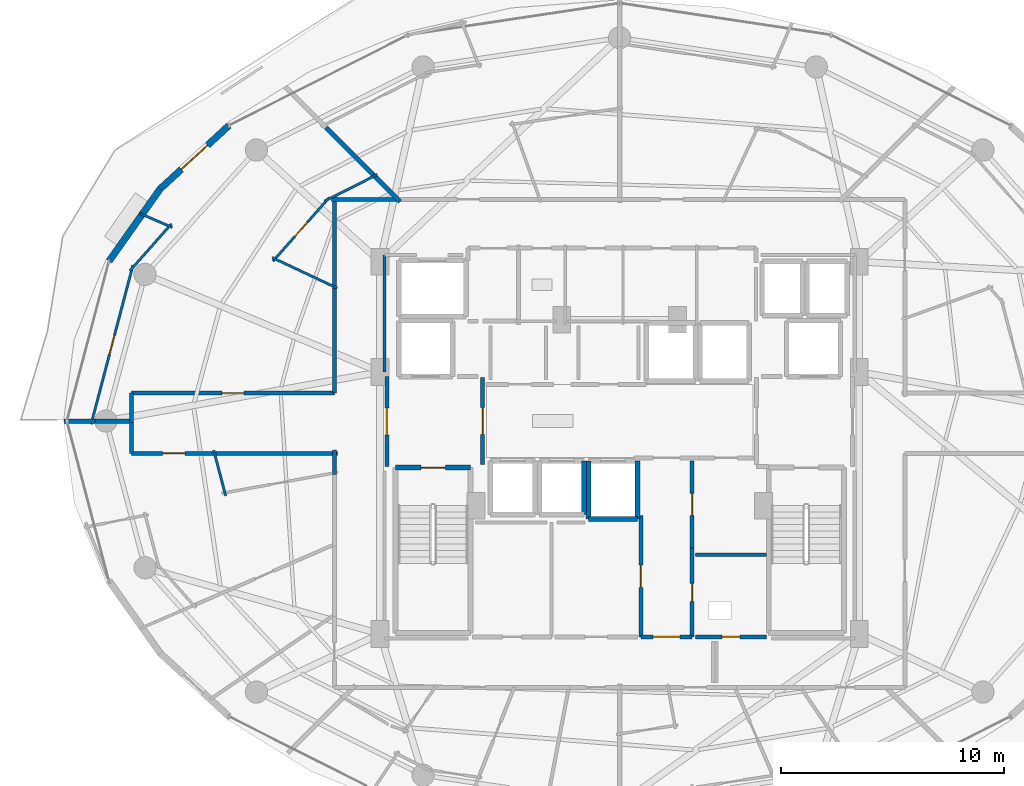
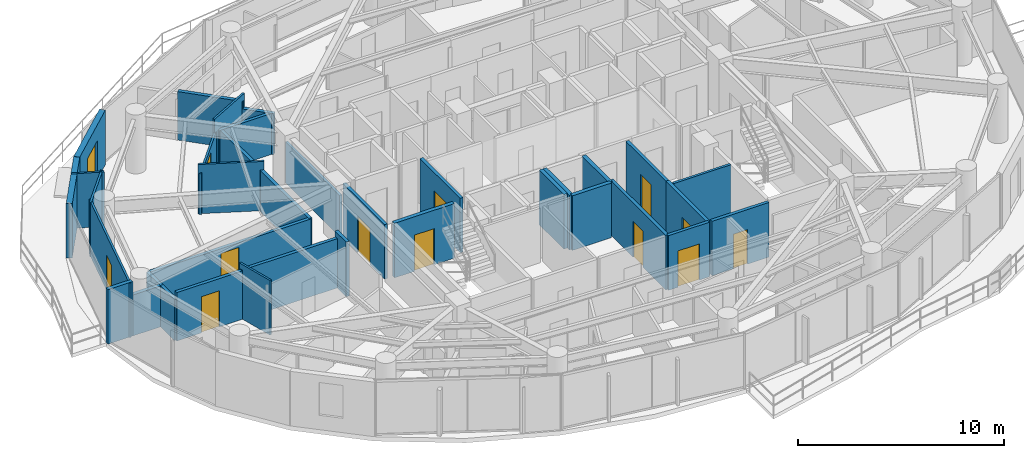
# One storey, part 23 of 31: 36 walls, 13 doors, 13 openings.
"""IFC4 building model written with IfcOpenShell, lengths in metres."""

from ifc_helpers import new_model, si_unit, direction, frame, frame_2d, origin, place, context, subcontext, project, spatial, rectangle, extrude, material, layer, layer_set, type_object, element, fill, save


model = new_model("IFC4")

# Units and contexts
model_context = context("Model", 3, precision=1e-05, world=origin(), true_north=direction((0.0, 1.0)))
body_context = subcontext(model_context, "Body", "Model", "MODEL_VIEW")
ifc_project = project(units=[si_unit("LENGTHUNIT", "METRE"), si_unit("AREAUNIT", "SQUARE_METRE"), si_unit("VOLUMEUNIT", "CUBIC_METRE"), si_unit("PLANEANGLEUNIT", "RADIAN"), si_unit("MASSUNIT", "GRAM", prefix="KILO")], contexts=[model_context])

# Site, building, storey
site_placement = place(None, origin())
site = spatial("IfcSite", under=ifc_project, at=site_placement, CompositionType="ELEMENT")
building_placement = place(site_placement, origin())
building = spatial("IfcBuilding", under=site, at=building_placement, Name="Vorneva Point Tower", CompositionType="ELEMENT")
storey_placement = place(building_placement, frame((0.0, 0.0, 129.10009765625)))
storey = spatial("IfcBuildingStorey", under=building, at=storey_placement, Name="L34", CompositionType="ELEMENT", Elevation=129.10009765625)

# Wall, opening, door
ifc_material_1 = material(Name="Precast concrete B50 (C40/50)", Category="concrete")
ifc_layer_1 = layer(ifc_material_1, 0.300048828125)
ifc_layer_set_1 = layer_set([ifc_layer_1], Name="Precast concrete B50 (C40/50)")
wall_type_1 = type_object("IfcWallType", Name="WL-EXT-300", PredefinedType="STANDARD", material=ifc_layer_set_1)
wall_1_placement = place(storey_placement, frame((20.4638671875, 39.25830078125, 0.0), z_axis=(0.0, 0.0, 1.0), x_axis=(-0.735477154165, -0.677549522693, 0.0)))
wall_1 = element("IfcWall", 1, at=wall_1_placement, inside=storey, type_object=wall_type_1, Name="L34 Pale-Metal Facade Spandrel Wall 07.1", PredefinedType="STANDARD", context=body_context, shape_type="SweptSolid", body=[
    extrude(rectangle(XDim=4.193603515625, YDim=0.300048828125, at=frame_2d((2.0966796875, 0.0))), origin(), (0.0, 0.0, 1.0), 3.239990234375),
])
opening_1_placement = place(wall_1_placement, frame((1.296875, 0.0, 0.0)))
opening_1 = element("IfcOpeningElement", 2, at=opening_1_placement, cuts=wall_1, Name="Opening BD-01", PredefinedType="OPENING", context=body_context, shape_type="SweptSolid", body=[
    extrude(rectangle(XDim=1.60009765625, YDim=2.300048828125, at=frame_2d((0.800048828125, 1.14990234375))), frame((0.0, 0.1650390625, 0.0), z_axis=(0.0, -1.0, 0.0), x_axis=(1.0, 0.0, 0.0)), (0.0, 0.0, 1.0), 0.329833984375),
])
ifc_material_2 = material(Name="Pale anodised aluminium", Category="aluminium")
door_type_1 = type_object("IfcDoorType", Name="DR-BAL-1600", OperationType="SLIDING_TO_LEFT", PredefinedType="DOOR", material=ifc_material_2)
door_1_placement = place(opening_1_placement, origin())
door_1 = element("IfcDoor", 3, at=door_1_placement, inside=storey, type_object=door_type_1, Name="L34 Balcony Terrace Access Door 07", OperationType="SLIDING_TO_LEFT", OverallHeight=2.300048828125, OverallWidth=1.60009765625, PredefinedType="DOOR", context=body_context, shape_type="SweptSolid", body=[
    extrude(rectangle(XDim=1.60009765625, YDim=2.300048828125, at=frame_2d((0.800048828125, 1.14990234375))), frame((0.0, 0.02490234375, 0.0), z_axis=(0.0, -1.0, 0.0), x_axis=(1.0, 0.0, 0.0)), (0.0, 0.0, 1.0), 0.050048828125),
])
fill(opening_1, door_1)

# Walls
wall_2_placement = place(storey_placement, frame((17.379638671875, 36.4169921875, 0.0), z_axis=(0.0, 0.0, 1.0), x_axis=(-0.577269753207, -0.816553508371, 0.0)))
element("IfcWall", 4, at=wall_2_placement, inside=storey, type_object=wall_type_1, Name="L34 Pale-Metal Facade Spandrel Wall 07.2", PredefinedType="STANDARD", context=body_context, shape_type="SweptSolid", body=[
    extrude(rectangle(XDim=3.969970703125, YDim=0.300048828125, at=frame_2d((1.98486328125, 0.0))), origin(), (0.0, 0.0, 1.0), 3.239990234375),
])
ifc_material_3 = material(Name="Fire-rated acoustic gypsum stud partition", Category="gypsum")
ifc_layer_2 = layer(ifc_material_3, 0.110107421875)
ifc_layer_set_2 = layer_set([ifc_layer_2], Name="Fire-rated acoustic gypsum stud partition")
wall_type_2 = type_object("IfcWallType", Name="WL-PART-110", PredefinedType="PARTITIONING", material=ifc_layer_set_2)
wall_3_placement = place(storey_placement, frame((25.32666015625, 31.96337890625, 0.0), z_axis=(0.0, 0.0, 1.0), x_axis=(-0.904775800467, 0.425888190596, 0.0)))
element("IfcWall", 5, at=wall_3_placement, inside=storey, type_object=wall_type_2, Name="L34 Interior Partition 096", PredefinedType="PARTITIONING", context=body_context, shape_type="SweptSolid", body=[
    extrude(rectangle(XDim=3.224609375, YDim=0.110107421875, at=frame_2d((1.6123046875, 0.0))), origin(), (0.0, 0.0, 1.0), 2.921875),
])

# Wall, opening, door
wall_4_placement = place(storey_placement, frame((22.443359375, 33.172119140625, 0.0), z_axis=(0.0, 0.0, 1.0), x_axis=(0.662199468358, 0.749327607997, 0.0)))
wall_4 = element("IfcWall", 6, at=wall_4_placement, inside=storey, type_object=wall_type_2, Name="L34 Interior Partition 097", PredefinedType="PARTITIONING", context=body_context, shape_type="SweptSolid", body=[
    extrude(rectangle(XDim=3.813720703125, YDim=0.110107421875, at=frame_2d((1.90673828125, 0.0))), origin(), (0.0, 0.0, 1.0), 2.431884765625),
])
opening_2_placement = place(wall_4_placement, frame((1.48193359375, 0.0, 0.0)))
opening_2 = element("IfcOpeningElement", 7, at=opening_2_placement, cuts=wall_4, Name="Opening ID-02", PredefinedType="OPENING", context=body_context, shape_type="SweptSolid", body=[
    extrude(rectangle(XDim=0.85009765625, YDim=2.10009765625, at=frame_2d((0.425048828125, 1.050048828125))), frame((0.0, 0.06982421875, 0.0), z_axis=(0.0, -1.0, 0.0), x_axis=(1.0, 0.0, 0.0)), (0.0, 0.0, 1.0), 0.139892578125),
])
ifc_material_4 = material(Name="Engineered oak fire-rated door leaf", Category="wood")
door_type_2 = type_object("IfcDoorType", Name="DR-BATH-850", OperationType="NOTDEFINED", PredefinedType="DOOR", material=ifc_material_4)
door_2_placement = place(opening_2_placement, origin())
door_2 = element("IfcDoor", 8, at=door_2_placement, inside=storey, type_object=door_type_2, Name="L34 Door Studio Apartment L34-04 / Bathroom L34-04", OperationType="SINGLE_SWING_RIGHT", OverallHeight=2.10009765625, OverallWidth=0.85009765625, PredefinedType="DOOR", context=body_context, shape_type="SweptSolid", body=[
    extrude(rectangle(XDim=0.85009765625, YDim=2.10009765625, at=frame_2d((0.425048828125, 1.050048828125))), frame((0.0, 0.02490234375, 0.0), z_axis=(0.0, -1.0, 0.0), x_axis=(1.0, 0.0, 0.0)), (0.0, 0.0, 1.0), 0.050048828125),
])
fill(opening_2, door_2)

# Walls
wall_5_placement = place(storey_placement, frame((24.751220703125, 35.86181640625, 0.0), z_axis=(0.0, 0.0, 1.0), x_axis=(0.892455114256, 0.451136197882, 0.0)))
element("IfcWall", 9, at=wall_5_placement, inside=storey, type_object=wall_type_2, Name="L34 Interior Partition 098", PredefinedType="PARTITIONING", context=body_context, shape_type="SweptSolid", body=[
    extrude(rectangle(XDim=2.660888671875, YDim=0.110107421875, at=frame_2d((1.33056640625, 0.0))), origin(), (0.0, 0.0, 1.0), 3.239990234375),
])
wall_6_placement = place(storey_placement, frame((17.8857421875, 34.848876953125, 0.0), z_axis=(0.0, 0.0, 1.0), x_axis=(-0.661981664989, -0.749520029898, 0.0)))
element("IfcWall", 10, at=wall_6_placement, inside=storey, type_object=wall_type_2, Name="L34 Interior Partition 099", PredefinedType="PARTITIONING", context=body_context, shape_type="SweptSolid", body=[
    extrude(rectangle(XDim=2.802978515625, YDim=0.110107421875, at=frame_2d((1.4013671875, 0.0))), origin(), (0.0, 0.0, 1.0), 3.239990234375),
])

# Wall, opening, door
wall_7_placement = place(storey_placement, frame((16.15869140625, 32.98828125, 0.0), z_axis=(0.0, 0.0, 1.0), x_axis=(-0.254441093922, -0.967088274008, 0.0)))
wall_7 = element("IfcWall", 11, at=wall_7_placement, inside=storey, type_object=wall_type_2, Name="L34 Interior Partition 100", PredefinedType="PARTITIONING", context=body_context, shape_type="SweptSolid", body=[
    extrude(rectangle(XDim=7.3662109375, YDim=0.110107421875, at=frame_2d((3.68310546875, 0.0))), origin(), (0.0, 0.0, 1.0), 3.239990234375),
])
opening_3_placement = place(wall_7_placement, frame((3.233154296875, 0.0, 0.0)))
opening_3 = element("IfcOpeningElement", 12, at=opening_3_placement, cuts=wall_7, Name="Opening ID-01", PredefinedType="OPENING", context=body_context, shape_type="SweptSolid", body=[
    extrude(rectangle(XDim=0.89990234375, YDim=2.10009765625, at=frame_2d((0.449951171875, 1.050048828125))), frame((0.0, 0.06982421875, 0.0), z_axis=(0.0, -1.0, 0.0), x_axis=(1.0, 0.0, 0.0)), (0.0, 0.0, 1.0), 0.139892578125),
])
door_type_3 = type_object("IfcDoorType", Name="DR-ROOM-900", OperationType="NOTDEFINED", PredefinedType="DOOR", material=ifc_material_4)
door_3_placement = place(opening_3_placement, origin())
door_3 = element("IfcDoor", 13, at=door_3_placement, inside=storey, type_object=door_type_3, Name="L34 Door Studio Apartment L34-04 / Kitchen L34-04", OperationType="SINGLE_SWING_LEFT", OverallHeight=2.10009765625, OverallWidth=0.89990234375, PredefinedType="DOOR", context=body_context, shape_type="SweptSolid", body=[
    extrude(rectangle(XDim=0.89990234375, YDim=2.10009765625, at=frame_2d((0.449951171875, 1.050048828125))), frame((0.0, 0.02490234375, 0.0), z_axis=(0.0, -1.0, 0.0), x_axis=(1.0, 0.0, 0.0)), (0.0, 0.0, 1.0), 0.050048828125),
])
fill(opening_3, door_3)

# Walls
wall_8_placement = place(storey_placement, frame((16.443603515625, 35.32861328125, 0.0), z_axis=(0.0, 0.0, 1.0), x_axis=(0.917553781871, -0.397611691698, 0.0)))
element("IfcWall", 14, at=wall_8_placement, inside=storey, type_object=wall_type_2, Name="L34 Interior Partition 101", PredefinedType="PARTITIONING", context=body_context, shape_type="SweptSolid", body=[
    extrude(rectangle(XDim=1.610595703125, YDim=0.110107421875, at=frame_2d((0.80517578125, 0.0))), origin(), (0.0, 0.0, 1.0), 3.239990234375),
])
wall_9_placement = place(storey_placement, frame((20.321533203125, 22.646484375, 0.0), z_axis=(0.0, 0.0, 1.0), x_axis=(-0.254316581286, 0.967121024734, 0.0)))
element("IfcWall", 15, at=wall_9_placement, inside=storey, type_object=wall_type_2, Name="L34 Interior Partition 105", PredefinedType="PARTITIONING", context=body_context, shape_type="SweptSolid", body=[
    extrude(rectangle(XDim=2.108154296875, YDim=0.110107421875, at=frame_2d((1.05419921875, 0.0))), origin(), (0.0, 0.0, 1.0), 3.239990234375),
])
ifc_layer_3 = layer(ifc_material_3, 0.139892578125)
ifc_layer_set_3 = layer_set([ifc_layer_3], Name="Fire-rated acoustic gypsum stud partition")
wall_type_3 = type_object("IfcWallType", Name="WL-PART-140", PredefinedType="PARTITIONING", material=ifc_layer_set_3)
wall_10_placement = place(storey_placement, frame((44.60009765625, 20.0, 0.0), z_axis=(0.0, 0.0, 1.0), x_axis=(-1.0, 0.0, 0.0)))
element("IfcWall", 16, at=wall_10_placement, inside=storey, type_object=wall_type_3, Name="L34 Interior Partition 018", PredefinedType="PARTITIONING", context=body_context, shape_type="SweptSolid", body=[
    extrude(rectangle(XDim=3.2001953125, YDim=0.139892578125, at=frame_2d((1.60009765625, 0.0))), origin(), (0.0, 0.0, 1.0), 3.239990234375),
])
wall_11_placement = place(storey_placement, frame((27.449951171875, 33.449951171875, 0.0), z_axis=(0.0, 0.0, 1.0), x_axis=(0.0, -1.0, 0.0)))
element("IfcWall", 17, at=wall_11_placement, inside=storey, type_object=wall_type_3, Name="L34 Interior Closure Partition 149", PredefinedType="PARTITIONING", context=body_context, shape_type="SweptSolid", body=[
    extrude(rectangle(XDim=5.25390625, YDim=0.139892578125, at=frame_2d((2.626953125, 0.0))), origin(), (0.0, 0.0, 1.0), 2.431884765625),
])

# Wall, opening, door
ifc_material_5 = material(Name="Autoclaved aerated concrete blockwork", Category="masonry")
ifc_layer_4 = layer(ifc_material_5, 0.179931640625)
ifc_layer_set_4 = layer_set([ifc_layer_4], Name="Autoclaved aerated concrete blockwork")
wall_type_4 = type_object("IfcWallType", Name="WL-PART-180", PredefinedType="PARTITIONING", material=ifc_layer_set_4)
wall_12_placement = place(storey_placement, frame((31.85009765625, 24.044921875, 0.0), z_axis=(0.0, 0.0, 1.0), x_axis=(0.0, 1.0, 0.0)))
wall_12 = element("IfcWall", 18, at=wall_12_placement, inside=storey, type_object=wall_type_4, Name="L34 Interior Partition 001", PredefinedType="PARTITIONING", context=body_context, shape_type="SweptSolid", body=[
    extrude(rectangle(XDim=3.91015625, YDim=0.179931640625, at=frame_2d((1.955078125, 0.0))), origin(), (0.0, 0.0, 1.0), 3.239990234375),
])
opening_4_placement = place(wall_12_placement, frame((1.35498046875, 0.0, 0.0)))
opening_4 = element("IfcOpeningElement", 19, at=opening_4_placement, cuts=wall_12, Name="Opening FD-02", PredefinedType="OPENING", context=body_context, shape_type="SweptSolid", body=[
    extrude(rectangle(XDim=1.199951171875, YDim=2.14990234375, at=frame_2d((0.60009765625, 1.074951171875))), frame((0.0, 0.10498046875, 0.0), z_axis=(0.0, -1.0, 0.0), x_axis=(1.0, 0.0, 0.0)), (0.0, 0.0, 1.0), 0.209716796875),
])
ifc_material_6 = material(Name="Fire-rated powder-coated steel", Category="steel")
door_type_4 = type_object("IfcDoorType", Name="DR-FFL-1200", OperationType="NOTDEFINED", PredefinedType="DOOR", material=ifc_material_6)
door_4_placement = place(opening_4_placement, origin())
door_4 = element("IfcDoor", 20, at=door_4_placement, inside=storey, type_object=door_type_4, Name="L34 Door West Firefighting Lobby / Central Lift Lobby", OperationType="SINGLE_SWING_RIGHT", OverallHeight=2.14990234375, OverallWidth=1.199951171875, PredefinedType="DOOR", context=body_context, shape_type="SweptSolid", body=[
    extrude(rectangle(XDim=1.199951171875, YDim=2.14990234375, at=frame_2d((0.60009765625, 1.074951171875))), frame((0.0, 0.02490234375, 0.0), z_axis=(0.0, -1.0, 0.0), x_axis=(1.0, 0.0, 0.0)), (0.0, 0.0, 1.0), 0.050048828125),
])
fill(opening_4, door_4)

wall_13_placement = place(storey_placement, frame((27.550048828125, 28.0, 0.0), z_axis=(0.0, 0.0, 1.0), x_axis=(0.0, -1.0, 0.0)))
wall_13 = element("IfcWall", 21, at=wall_13_placement, inside=storey, type_object=wall_type_4, Name="L34 Interior Partition 002", PredefinedType="PARTITIONING", context=body_context, shape_type="SweptSolid", body=[
    extrude(rectangle(XDim=4.050048828125, YDim=0.179931640625, at=frame_2d((2.02490234375, 0.0))), origin(), (0.0, 0.0, 1.0), 3.239990234375),
])
opening_5_placement = place(wall_13_placement, frame((1.425048828125, 0.0, 0.0)))
opening_5 = element("IfcOpeningElement", 22, at=opening_5_placement, cuts=wall_13, Name="Opening FD-02", PredefinedType="OPENING", context=body_context, shape_type="SweptSolid", body=[
    extrude(rectangle(XDim=1.199951171875, YDim=2.14990234375, at=frame_2d((0.60009765625, 1.074951171875))), frame((0.0, 0.10498046875, 0.0), z_axis=(0.0, -1.0, 0.0), x_axis=(1.0, 0.0, 0.0)), (0.0, 0.0, 1.0), 0.209716796875),
])
door_5_placement = place(opening_5_placement, origin())
door_5 = element("IfcDoor", 23, at=door_5_placement, inside=storey, type_object=door_type_4, Name="L34 Door West Firefighting Lobby / L34 Circulation Corridor", OperationType="SINGLE_SWING_RIGHT", OverallHeight=2.14990234375, OverallWidth=1.199951171875, PredefinedType="DOOR", context=body_context, shape_type="SweptSolid", body=[
    extrude(rectangle(XDim=1.199951171875, YDim=2.14990234375, at=frame_2d((0.60009765625, 1.074951171875))), frame((0.0, 0.02490234375, 0.0), z_axis=(0.0, -1.0, 0.0), x_axis=(1.0, 0.0, 0.0)), (0.0, 0.0, 1.0), 0.050048828125),
])
fill(opening_5, door_5)

wall_14_placement = place(storey_placement, frame((41.25, 16.320068359375, 0.0), z_axis=(0.0, 0.0, 1.0), x_axis=(0.0, 1.0, 0.0)))
wall_14 = element("IfcWall", 24, at=wall_14_placement, inside=storey, type_object=wall_type_4, Name="L34 Interior Partition 014", PredefinedType="PARTITIONING", context=body_context, shape_type="SweptSolid", body=[
    extrude(rectangle(XDim=3.98486328125, YDim=0.179931640625, at=frame_2d((1.992431640625, 0.0))), origin(), (0.0, 0.0, 1.0), 3.239990234375),
])
opening_6_placement = place(wall_14_placement, frame((1.592529296875, 0.0, 0.0)))
opening_6 = element("IfcOpeningElement", 25, at=opening_6_placement, cuts=wall_14, Name="Opening RD-01", PredefinedType="OPENING", context=body_context, shape_type="SweptSolid", body=[
    extrude(rectangle(XDim=0.800048828125, YDim=2.050048828125, at=frame_2d((0.39990234375, 1.02490234375))), frame((0.0, 0.10498046875, 0.0), z_axis=(0.0, -1.0, 0.0), x_axis=(1.0, 0.0, 0.0)), (0.0, 0.0, 1.0), 0.209716796875),
])
door_type_5 = type_object("IfcDoorType", Name="DR-RSR-800", OperationType="SINGLE_SWING_LEFT", PredefinedType="DOOR", material=ifc_material_6)
door_6_placement = place(opening_6_placement, origin())
door_6 = element("IfcDoor", 26, at=door_6_placement, inside=storey, type_object=door_type_5, Name="L34 Door Core Service Lobby / Electrical Riser", OperationType="SINGLE_SWING_LEFT", OverallHeight=2.050048828125, OverallWidth=0.800048828125, PredefinedType="DOOR", context=body_context, shape_type="SweptSolid", body=[
    extrude(rectangle(XDim=0.800048828125, YDim=2.050048828125, at=frame_2d((0.39990234375, 1.02490234375))), frame((0.0, 0.02490234375, 0.0), z_axis=(0.0, -1.0, 0.0), x_axis=(1.0, 0.0, 0.0)), (0.0, 0.0, 1.0), 0.050048828125),
])
fill(opening_6, door_6)

wall_15_placement = place(storey_placement, frame((41.25, 20.304931640625, 0.0), z_axis=(0.0, 0.0, 1.0), x_axis=(0.0, 1.0, 0.0)))
wall_15 = element("IfcWall", 27, at=wall_15_placement, inside=storey, type_object=wall_type_4, Name="L34 Interior Partition 015", PredefinedType="PARTITIONING", context=body_context, shape_type="SweptSolid", body=[
    extrude(rectangle(XDim=3.89501953125, YDim=0.179931640625, at=frame_2d((1.947509765625, 0.0))), origin(), (0.0, 0.0, 1.0), 3.239990234375),
])
opening_7_placement = place(wall_15_placement, frame((1.447509765625, 0.0, 0.0)))
opening_7 = element("IfcOpeningElement", 28, at=opening_7_placement, cuts=wall_15, Name="Opening UD-01", PredefinedType="OPENING", context=body_context, shape_type="SweptSolid", body=[
    extrude(rectangle(XDim=1.0, YDim=2.14990234375, at=frame_2d((0.5, 1.074951171875))), frame((0.0, 0.10498046875, 0.0), z_axis=(0.0, -1.0, 0.0), x_axis=(1.0, 0.0, 0.0)), (0.0, 0.0, 1.0), 0.209716796875),
])
door_type_6 = type_object("IfcDoorType", Name="DR-UNIT-1000", OperationType="NOTDEFINED", PredefinedType="DOOR", material=ifc_material_4)
door_7_placement = place(opening_7_placement, origin())
door_7 = element("IfcDoor", 29, at=door_7_placement, inside=storey, type_object=door_type_6, Name="L34 Door Core Service Lobby / Floor Management Office", OperationType="SINGLE_SWING_RIGHT", OverallHeight=2.14990234375, OverallWidth=1.0, PredefinedType="DOOR", context=body_context, shape_type="SweptSolid", body=[
    extrude(rectangle(XDim=1.0, YDim=2.14990234375, at=frame_2d((0.5, 1.074951171875))), frame((0.0, 0.02490234375, 0.0), z_axis=(0.0, -1.0, 0.0), x_axis=(1.0, 0.0, 0.0)), (0.0, 0.0, 1.0), 0.050048828125),
])
fill(opening_7, door_7)

wall_16_placement = place(storey_placement, frame((38.949951171875, 21.7548828125, 0.0), z_axis=(0.0, 0.0, 1.0), x_axis=(0.0, -1.0, 0.0)))
wall_16 = element("IfcWall", 30, at=wall_16_placement, inside=storey, type_object=wall_type_4, Name="L34 Interior Partition 016", PredefinedType="PARTITIONING", context=body_context, shape_type="SweptSolid", body=[
    extrude(rectangle(XDim=5.434814453125, YDim=0.179931640625, at=frame_2d((2.71728515625, 0.0))), origin(), (0.0, 0.0, 1.0), 3.239990234375),
])
opening_8_placement = place(wall_16_placement, frame((2.217529296875, 0.0, 0.0)))
opening_8 = element("IfcOpeningElement", 31, at=opening_8_placement, cuts=wall_16, Name="Opening UD-01", PredefinedType="OPENING", context=body_context, shape_type="SweptSolid", body=[
    extrude(rectangle(XDim=1.0, YDim=2.14990234375, at=frame_2d((0.5, 1.074951171875))), frame((0.0, 0.10498046875, 0.0), z_axis=(0.0, -1.0, 0.0), x_axis=(1.0, 0.0, 0.0)), (0.0, 0.0, 1.0), 0.209716796875),
])
door_8_placement = place(opening_8_placement, origin())
door_8 = element("IfcDoor", 32, at=door_8_placement, inside=storey, type_object=door_type_6, Name="L34 Door Core Service Lobby / Staff Service Pantry", OperationType="SINGLE_SWING_LEFT", OverallHeight=2.14990234375, OverallWidth=1.0, PredefinedType="DOOR", context=body_context, shape_type="SweptSolid", body=[
    extrude(rectangle(XDim=1.0, YDim=2.14990234375, at=frame_2d((0.5, 1.074951171875))), frame((0.0, 0.02490234375, 0.0), z_axis=(0.0, -1.0, 0.0), x_axis=(1.0, 0.0, 0.0)), (0.0, 0.0, 1.0), 0.050048828125),
])
fill(opening_8, door_8)

wall_17_placement = place(storey_placement, frame((38.949951171875, 16.320068359375, 0.0), z_axis=(0.0, 0.0, 1.0), x_axis=(1.0, 0.0, 0.0)))
wall_17 = element("IfcWall", 33, at=wall_17_placement, inside=storey, type_object=wall_type_4, Name="L34 Interior Partition 017", PredefinedType="PARTITIONING", context=body_context, shape_type="SweptSolid", body=[
    extrude(rectangle(XDim=2.300048828125, YDim=0.179931640625, at=frame_2d((1.14990234375, 0.0))), origin(), (0.0, 0.0, 1.0), 3.239990234375),
])
opening_9_placement = place(wall_17_placement, frame((0.550048828125, 0.0, 0.0)))
opening_9 = element("IfcOpeningElement", 34, at=opening_9_placement, cuts=wall_17, Name="Opening FD-02", PredefinedType="OPENING", context=body_context, shape_type="SweptSolid", body=[
    extrude(rectangle(XDim=1.199951171875, YDim=2.14990234375, at=frame_2d((0.60009765625, 1.074951171875))), frame((0.0, 0.10498046875, 0.0), z_axis=(0.0, -1.0, 0.0), x_axis=(1.0, 0.0, 0.0)), (0.0, 0.0, 1.0), 0.209716796875),
])
door_9_placement = place(opening_9_placement, origin())
door_9 = element("IfcDoor", 35, at=door_9_placement, inside=storey, type_object=door_type_4, Name="L34 Door Core Service Lobby / L34 Circulation Corridor", OperationType="SINGLE_SWING_RIGHT", OverallHeight=2.14990234375, OverallWidth=1.199951171875, PredefinedType="DOOR", context=body_context, shape_type="SweptSolid", body=[
    extrude(rectangle(XDim=1.199951171875, YDim=2.14990234375, at=frame_2d((0.60009765625, 1.074951171875))), frame((0.0, 0.02490234375, 0.0), z_axis=(0.0, -1.0, 0.0), x_axis=(1.0, 0.0, 0.0)), (0.0, 0.0, 1.0), 0.050048828125),
])
fill(opening_9, door_9)

wall_18_placement = place(storey_placement, frame((41.39990234375, 16.320068359375, 0.0), z_axis=(0.0, 0.0, 1.0), x_axis=(1.0, 0.0, 0.0)))
wall_18 = element("IfcWall", 36, at=wall_18_placement, inside=storey, type_object=wall_type_4, Name="L34 Interior Partition 019", PredefinedType="PARTITIONING", context=body_context, shape_type="SweptSolid", body=[
    extrude(rectangle(XDim=3.2001953125, YDim=0.179931640625, at=frame_2d((1.60009765625, 0.0))), origin(), (0.0, 0.0, 1.0), 3.239990234375),
])
opening_10_placement = place(wall_18_placement, frame((1.199951171875, 0.0, 0.0)))
opening_10 = element("IfcOpeningElement", 37, at=opening_10_placement, cuts=wall_18, Name="Opening RD-01", PredefinedType="OPENING", context=body_context, shape_type="SweptSolid", body=[
    extrude(rectangle(XDim=0.800048828125, YDim=2.050048828125, at=frame_2d((0.39990234375, 1.02490234375))), frame((0.0, 0.10498046875, 0.0), z_axis=(0.0, -1.0, 0.0), x_axis=(1.0, 0.0, 0.0)), (0.0, 0.0, 1.0), 0.209716796875),
])
door_10_placement = place(opening_10_placement, origin())
door_10 = element("IfcDoor", 38, at=door_10_placement, inside=storey, type_object=door_type_5, Name="L34 Door Electrical Riser / L34 Circulation Corridor", OperationType="SINGLE_SWING_LEFT", OverallHeight=2.050048828125, OverallWidth=0.800048828125, PredefinedType="DOOR", context=body_context, shape_type="SweptSolid", body=[
    extrude(rectangle(XDim=0.800048828125, YDim=2.050048828125, at=frame_2d((0.39990234375, 1.02490234375))), frame((0.0, 0.02490234375, 0.0), z_axis=(0.0, -1.0, 0.0), x_axis=(1.0, 0.0, 0.0)), (0.0, 0.0, 1.0), 0.050048828125),
])
fill(opening_10, door_10)

# Walls
wall_19_placement = place(storey_placement, frame((16.10009765625, 27.25, 0.0), z_axis=(0.0, 0.0, 1.0), x_axis=(0.0, -1.0, 0.0)))
element("IfcWall", 39, at=wall_19_placement, inside=storey, type_object=wall_type_4, Name="L34 Interior Partition 044", PredefinedType="PARTITIONING", context=body_context, shape_type="SweptSolid", body=[
    extrude(rectangle(XDim=1.31005859375, YDim=0.179931640625, at=frame_2d((0.655029296875, 0.0))), origin(), (0.0, 0.0, 1.0), 2.431884765625),
])
wall_20_placement = place(storey_placement, frame((25.199951171875, 32.089111328125, 0.0), z_axis=(0.0, 0.0, 1.0), x_axis=(0.0, -1.0, 0.0)))
element("IfcWall", 40, at=wall_20_placement, inside=storey, type_object=wall_type_4, Name="L34 Interior Partition 045", PredefinedType="PARTITIONING", context=body_context, shape_type="SweptSolid", body=[
    extrude(rectangle(XDim=4.839111328125, YDim=0.179931640625, at=frame_2d((2.41943359375, 0.0))), origin(), (0.0, 0.0, 1.0), 2.431884765625),
])

# Wall, opening, door
wall_21_placement = place(storey_placement, frame((25.199951171875, 27.25, 0.0), z_axis=(0.0, 0.0, 1.0), x_axis=(-1.0, 0.0, 0.0)))
wall_21 = element("IfcWall", 41, at=wall_21_placement, inside=storey, type_object=wall_type_4, Name="L34 Interior Partition 046", PredefinedType="PARTITIONING", context=body_context, shape_type="SweptSolid", body=[
    extrude(rectangle(XDim=9.099853515625, YDim=0.179931640625, at=frame_2d((4.5498046875, 0.0))), origin(), (0.0, 0.0, 1.0), 2.431884765625),
])
opening_11_placement = place(wall_21_placement, frame((4.050048828125, 0.0, 0.0)))
opening_11 = element("IfcOpeningElement", 42, at=opening_11_placement, cuts=wall_21, Name="Opening UD-01", PredefinedType="OPENING", context=body_context, shape_type="SweptSolid", body=[
    extrude(rectangle(XDim=1.0, YDim=2.14990234375, at=frame_2d((0.5, 1.074951171875))), frame((0.0, 0.10498046875, 0.0), z_axis=(0.0, -1.0, 0.0), x_axis=(1.0, 0.0, 0.0)), (0.0, 0.0, 1.0), 0.209716796875),
])
door_11_placement = place(opening_11_placement, origin())
door_11 = element("IfcDoor", 43, at=door_11_placement, inside=storey, type_object=door_type_6, Name="L34 Door L34 Circulation Corridor / Studio Apartment L34-04", OperationType="SINGLE_SWING_LEFT", OverallHeight=2.14990234375, OverallWidth=1.0, PredefinedType="DOOR", context=body_context, shape_type="SweptSolid", body=[
    extrude(rectangle(XDim=1.0, YDim=2.14990234375, at=frame_2d((0.5, 1.074951171875))), frame((0.0, 0.02490234375, 0.0), z_axis=(0.0, -1.0, 0.0), x_axis=(1.0, 0.0, 0.0)), (0.0, 0.0, 1.0), 0.050048828125),
])
fill(opening_11, door_11)

# Walls
wall_22_placement = place(storey_placement, frame((28.10498046875, 35.949951171875, 0.0), z_axis=(0.0, 0.0, 1.0), x_axis=(-1.0, 0.0, 0.0)))
element("IfcWall", 44, at=wall_22_placement, inside=storey, type_object=wall_type_4, Name="L34 Interior Partition 047", PredefinedType="PARTITIONING", context=body_context, shape_type="SweptSolid", body=[
    extrude(rectangle(XDim=3.044921875, YDim=0.179931640625, at=frame_2d((1.5224609375, 0.0))), origin(), (0.0, 0.0, 1.0), 2.431884765625),
])
wall_23_placement = place(storey_placement, frame((25.199951171875, 36.090087890625, 0.0), z_axis=(0.0, 0.0, 1.0), x_axis=(0.0, -1.0, 0.0)))
element("IfcWall", 45, at=wall_23_placement, inside=storey, type_object=wall_type_4, Name="L34 Interior Partition 048", PredefinedType="PARTITIONING", context=body_context, shape_type="SweptSolid", body=[
    extrude(rectangle(XDim=4.14111328125, YDim=0.179931640625, at=frame_2d((2.070556640625, 0.0))), origin(), (0.0, 0.0, 1.0), 2.431884765625),
])
wall_24_placement = place(storey_placement, frame((16.10009765625, 25.93994140625, 0.0), z_axis=(0.0, 0.0, 1.0), x_axis=(0.0, -1.0, 0.0)))
element("IfcWall", 46, at=wall_24_placement, inside=storey, type_object=wall_type_4, Name="L34 Interior Partition 049", PredefinedType="PARTITIONING", context=body_context, shape_type="SweptSolid", body=[
    extrude(rectangle(XDim=1.389892578125, YDim=0.179931640625, at=frame_2d((0.69482421875, 0.0))), origin(), (0.0, 0.0, 1.0), 2.431884765625),
])

# Wall, opening, door
wall_25_placement = place(storey_placement, frame((16.10009765625, 24.550048828125, 0.0), z_axis=(0.0, 0.0, 1.0), x_axis=(1.0, 0.0, 0.0)))
wall_25 = element("IfcWall", 47, at=wall_25_placement, inside=storey, type_object=wall_type_4, Name="L34 Interior Partition 050", PredefinedType="PARTITIONING", context=body_context, shape_type="SweptSolid", body=[
    extrude(rectangle(XDim=3.782958984375, YDim=0.179931640625, at=frame_2d((1.8916015625, 0.0))), origin(), (0.0, 0.0, 1.0), 2.8740234375),
])
opening_12_placement = place(wall_25_placement, frame((1.3916015625, 0.0, 0.0)))
opening_12 = element("IfcOpeningElement", 48, at=opening_12_placement, cuts=wall_25, Name="Opening UD-01", PredefinedType="OPENING", context=body_context, shape_type="SweptSolid", body=[
    extrude(rectangle(XDim=1.0, YDim=2.14990234375, at=frame_2d((0.5, 1.074951171875))), frame((0.0, 0.10498046875, 0.0), z_axis=(0.0, -1.0, 0.0), x_axis=(1.0, 0.0, 0.0)), (0.0, 0.0, 1.0), 0.209716796875),
])
door_12_placement = place(opening_12_placement, origin())
door_12 = element("IfcDoor", 49, at=door_12_placement, inside=storey, type_object=door_type_6, Name="L34 Door L34 Circulation Corridor / Living and Dining Room L34-05", OperationType="SINGLE_SWING_RIGHT", OverallHeight=2.14990234375, OverallWidth=1.0, PredefinedType="DOOR", context=body_context, shape_type="SweptSolid", body=[
    extrude(rectangle(XDim=1.0, YDim=2.14990234375, at=frame_2d((0.5, 1.074951171875))), frame((0.0, 0.02490234375, 0.0), z_axis=(0.0, -1.0, 0.0), x_axis=(1.0, 0.0, 0.0)), (0.0, 0.0, 1.0), 0.050048828125),
])
fill(opening_12, door_12)

# Walls
wall_26_placement = place(storey_placement, frame((19.742919921875, 24.550048828125, 0.0), z_axis=(0.0, 0.0, 1.0), x_axis=(1.0, 0.0, 0.0)))
element("IfcWall", 50, at=wall_26_placement, inside=storey, type_object=wall_type_4, Name="L34 Interior Partition 052", PredefinedType="PARTITIONING", context=body_context, shape_type="SweptSolid", body=[
    extrude(rectangle(XDim=5.59716796875, YDim=0.179931640625, at=frame_2d((2.798583984375, 0.0))), origin(), (0.0, 0.0, 1.0), 2.921875),
])
wall_27_placement = place(storey_placement, frame((25.199951171875, 24.68994140625, 0.0), z_axis=(0.0, 0.0, 1.0), x_axis=(0.0, -1.0, 0.0)))
element("IfcWall", 51, at=wall_27_placement, inside=storey, type_object=wall_type_4, Name="L34 Interior Partition 053", PredefinedType="PARTITIONING", context=body_context, shape_type="SweptSolid", body=[
    extrude(rectangle(XDim=1.094970703125, YDim=0.179931640625, at=frame_2d((0.54736328125, 0.0))), origin(), (0.0, 0.0, 1.0), 3.239990234375),
])
ifc_layer_5 = layer(ifc_material_5, 0.199951171875)
ifc_layer_set_5 = layer_set([ifc_layer_5], Name="Autoclaved aerated concrete blockwork")
wall_type_5 = type_object("IfcWallType", Name="WL-PART-200", PredefinedType="PARTITIONING", material=ifc_layer_set_5)
wall_28_placement = place(storey_placement, frame((24.72607421875, 39.27392578125, 0.0), z_axis=(0.0, 0.0, 1.0), x_axis=(0.707106781187, -0.707106781187, 0.0)))
element("IfcWall", 52, at=wall_28_placement, inside=storey, type_object=wall_type_5, Name="L34 Interior Partition 093", PredefinedType="PARTITIONING", context=body_context, shape_type="SweptSolid", body=[
    extrude(rectangle(XDim=3.276611328125, YDim=0.199951171875, at=frame_2d((1.63818359375, 0.0))), origin(), (0.0, 0.0, 1.0), 2.8740234375),
])
wall_29_placement = place(storey_placement, frame((26.944091796875, 37.055908203125, 0.0), z_axis=(0.0, 0.0, 1.0), x_axis=(0.707106781187, -0.707106781187, 0.0)))
element("IfcWall", 53, at=wall_29_placement, inside=storey, type_object=wall_type_5, Name="L34 Interior Partition 094", PredefinedType="PARTITIONING", context=body_context, shape_type="SweptSolid", body=[
    extrude(rectangle(XDim=1.703857421875, YDim=0.199951171875, at=frame_2d((0.85205078125, 0.0))), origin(), (0.0, 0.0, 1.0), 2.431884765625),
])
wall_30_placement = place(storey_placement, frame((14.320068359375, 26.0, 0.0), z_axis=(0.0, 0.0, 1.0), x_axis=(1.0, 0.0, 0.0)))
element("IfcWall", 54, at=wall_30_placement, inside=storey, type_object=wall_type_5, Name="L34 Interior Partition 102", PredefinedType="PARTITIONING", context=body_context, shape_type="SweptSolid", body=[
    extrude(rectangle(XDim=1.780029296875, YDim=0.199951171875, at=frame_2d((0.89013671875, 0.0))), origin(), (0.0, 0.0, 1.0), 2.431884765625),
])
wall_31_placement = place(storey_placement, frame((13.06103515625, 26.0, 0.0), z_axis=(0.0, 0.0, 1.0), x_axis=(1.0, 0.0, 0.0)))
element("IfcWall", 55, at=wall_31_placement, inside=storey, type_object=wall_type_5, Name="L34 Interior Partition 103", PredefinedType="PARTITIONING", context=body_context, shape_type="SweptSolid", body=[
    extrude(rectangle(XDim=1.39892578125, YDim=0.199951171875, at=frame_2d((0.699462890625, 0.0))), origin(), (0.0, 0.0, 1.0), 3.239990234375),
])

# Wall, opening, door
ifc_material_7 = material(Name="Concrete B50 (C40/50)", Category="concrete")
ifc_layer_6 = layer(ifc_material_7, 0.219970703125)
ifc_layer_set_6 = layer_set([ifc_layer_6], Name="Concrete B50 (C40/50)")
wall_type_6 = type_object("IfcWallType", Name="WL-SHFT-220", PredefinedType="SOLIDWALL", material=ifc_layer_set_6)
wall_32_placement = place(storey_placement, frame((27.93994140625, 23.909912109375, 0.0), z_axis=(0.0, 0.0, 1.0), x_axis=(1.0, 0.0, 0.0)))
wall_32 = element("IfcWall", 56, at=wall_32_placement, inside=storey, type_object=wall_type_6, Name="L34 Exit Stair ST1 Shaft Wall near", PredefinedType="SOLIDWALL", context=body_context, shape_type="SweptSolid", body=[
    extrude(rectangle(XDim=3.3701171875, YDim=0.219970703125, at=frame_2d((1.68505859375, 0.0))), origin(), (0.0, 0.0, 1.0), 3.239990234375),
])
opening_13_placement = place(wall_32_placement, frame((1.135009765625, 0.0, 0.0)))
opening_13 = element("IfcOpeningElement", 57, at=opening_13_placement, cuts=wall_32, Name="Opening FD-01", PredefinedType="OPENING", context=body_context, shape_type="SweptSolid", body=[
    extrude(rectangle(XDim=1.10009765625, YDim=2.14990234375, at=frame_2d((0.550048828125, 1.074951171875))), frame((0.0, 0.125, 0.0), z_axis=(0.0, -1.0, 0.0), x_axis=(1.0, 0.0, 0.0)), (0.0, 0.0, 1.0), 0.249755859375),
])
door_type_7 = type_object("IfcDoorType", Name="DR-STAIR-1100", OperationType="NOTDEFINED", PredefinedType="DOOR", material=ifc_material_6)
door_13_placement = place(opening_13_placement, origin())
door_13 = element("IfcDoor", 58, at=door_13_placement, inside=storey, type_object=door_type_7, Name="L34 Exit Stair ST1 Fire Door", OperationType="SINGLE_SWING_RIGHT", OverallHeight=2.14990234375, OverallWidth=1.10009765625, PredefinedType="DOOR", context=body_context, shape_type="SweptSolid", body=[
    extrude(rectangle(XDim=1.10009765625, YDim=2.14990234375, at=frame_2d((0.550048828125, 1.074951171875))), frame((0.0, 0.02490234375, 0.0), z_axis=(0.0, -1.0, 0.0), x_axis=(1.0, 0.0, 0.0)), (0.0, 0.0, 1.0), 0.050048828125),
])
fill(opening_13, door_13)

# Walls
wall_33_placement = place(storey_placement, frame((36.39990234375, 21.800048828125, 0.0), z_axis=(0.0, 0.0, 1.0), x_axis=(0.0, 1.0, 0.0)))
element("IfcWall", 59, at=wall_33_placement, inside=storey, type_object=wall_type_6, Name="L34 Lift PL5 Shaft Wall +X", PredefinedType="SOLIDWALL", context=body_context, shape_type="SweptSolid", body=[
    extrude(rectangle(XDim=2.39990234375, YDim=0.219970703125, at=frame_2d((1.199951171875, 0.0))), origin(), (0.0, 0.0, 1.0), 3.239990234375),
])
wall_34_placement = place(storey_placement, frame((36.60009765625, 21.60009765625, 0.0), z_axis=(0.0, 0.0, 1.0), x_axis=(1.0, 0.0, 0.0)))
element("IfcWall", 60, at=wall_34_placement, inside=storey, type_object=wall_type_6, Name="L34 Lift PL6 Shaft Wall -Y", PredefinedType="SOLIDWALL", context=body_context, shape_type="SweptSolid", body=[
    extrude(rectangle(XDim=2.199951171875, YDim=0.219970703125, at=frame_2d((1.10009765625, 0.0))), origin(), (0.0, 0.0, 1.0), 3.239990234375),
])
for number, where, z_axis, x_axis, name in (
    (61, (38.800048828125, 21.60009765625, 0.0), (0.0, 0.0, 1.0), (0.0, 1.0, 0.0), "L34 Lift PL6 Shaft Wall +X"),
    (62, (36.60009765625, 24.199951171875, 0.0), (0.0, 0.0, 1.0), (0.0, -1.0, 0.0), "L34 Lift PL6 Shaft Wall -X"),
):
    element("IfcWall", number, at=place(storey_placement, frame(where, z_axis=z_axis, x_axis=x_axis)), inside=storey, type_object=wall_type_6, Name=name, PredefinedType="SOLIDWALL", context=body_context, shape_type="SweptSolid", body=[
        extrude(rectangle(XDim=2.599853515625, YDim=0.219970703125, at=frame_2d((1.2998046875, 0.0))), origin(), (0.0, 0.0, 1.0), 3.239990234375),
    ])

save(model, "model.ifc")
